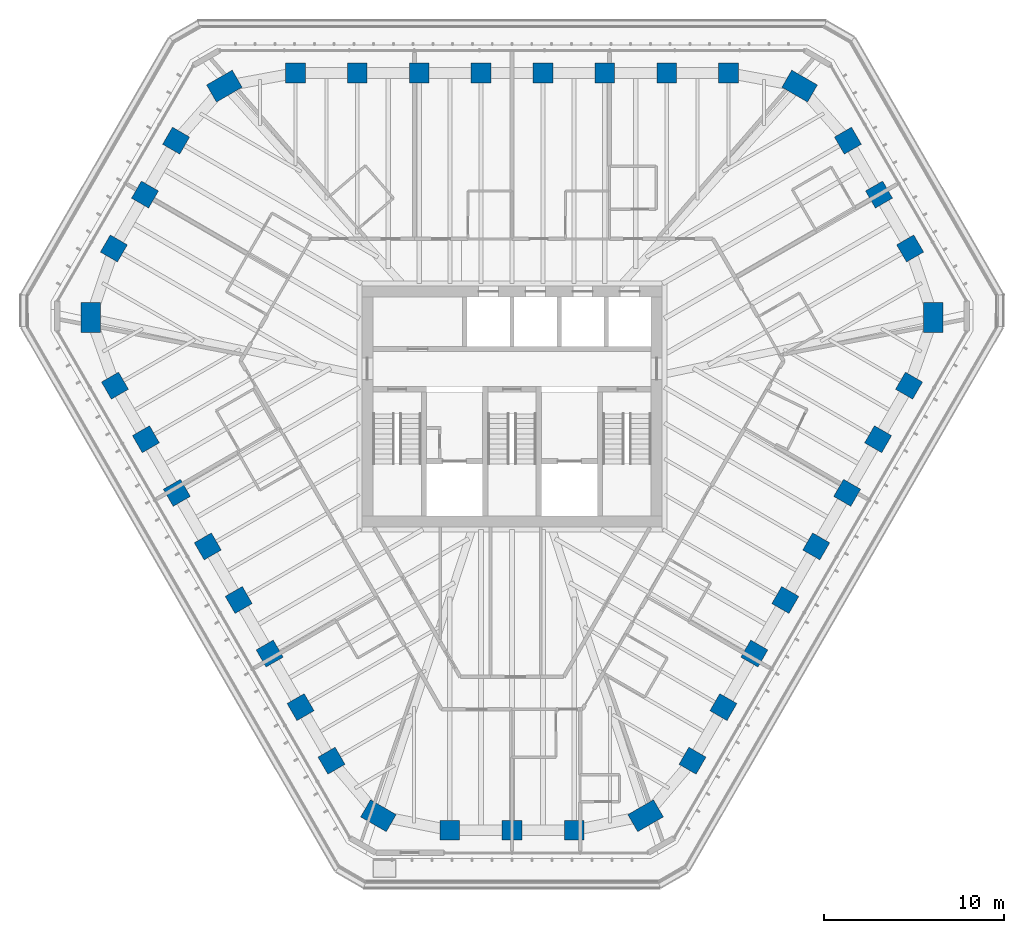
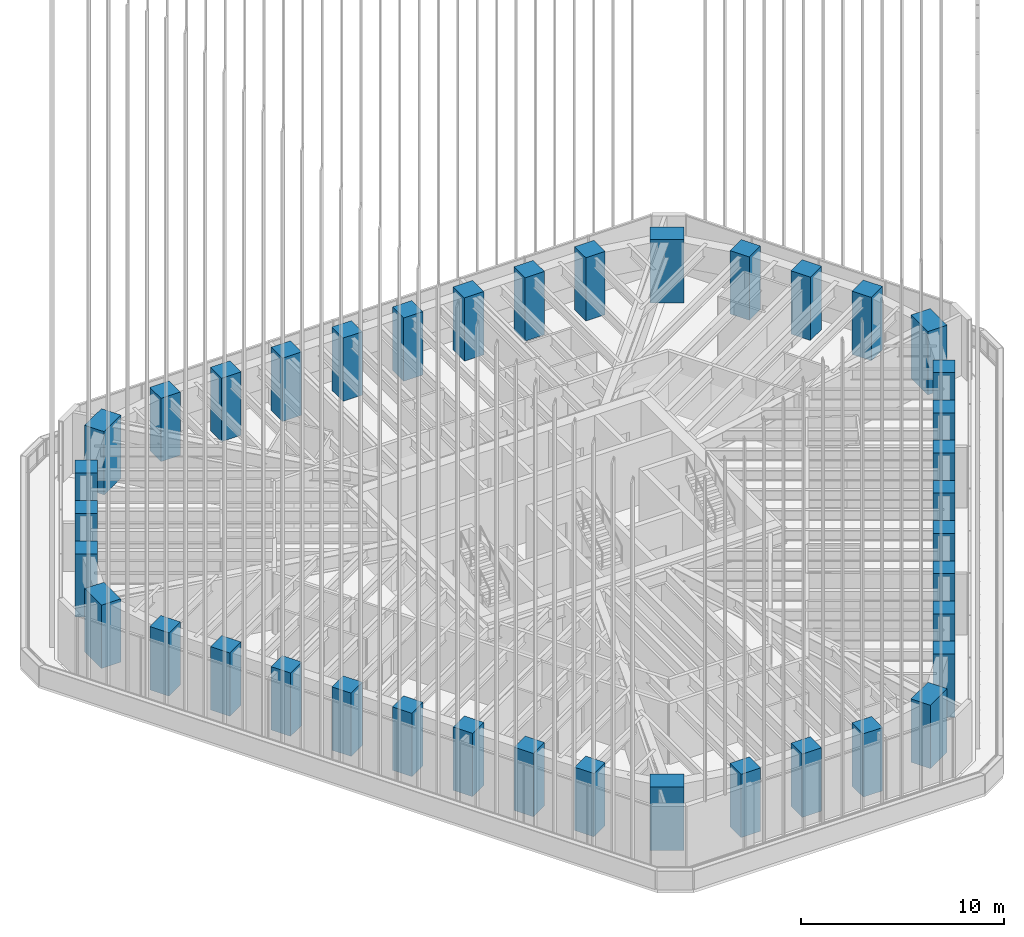
# One storey, part 1 of 127: 39 columns.
"""IFC4 building model written with IfcOpenShell, lengths in metres."""

from ifc_helpers import new_model, si_unit, direction, frame, origin, origin_2d, place, context, subcontext, project, spatial, rectangle, extrude, clip, halfspace, material, material_profile, profile_set, type_object, element, save


model = new_model("IFC4")

# Units and contexts
model_context = context("Model", 3, precision=1e-05, world=origin(), true_north=direction((0.0, 1.0)))
body_context = subcontext(model_context, "Body", "Model", "MODEL_VIEW")
ifc_project = project(units=[si_unit("LENGTHUNIT", "METRE"), si_unit("AREAUNIT", "SQUARE_METRE"), si_unit("VOLUMEUNIT", "CUBIC_METRE"), si_unit("PLANEANGLEUNIT", "RADIAN"), si_unit("MASSUNIT", "GRAM", prefix="KILO")], contexts=[model_context])

# Site, building, storey
site_placement = place(None, origin())
site = spatial("IfcSite", under=ifc_project, at=site_placement, CompositionType="ELEMENT")
building_placement = place(site_placement, origin())
building = spatial("IfcBuilding", under=site, at=building_placement, Name="Sandreach Pilgrim Tower", CompositionType="ELEMENT")
storey_placement = place(building_placement, frame((0.0, 0.0, 257.0)))
storey = spatial("IfcBuildingStorey", under=building, at=storey_placement, Name="L64", CompositionType="ELEMENT", Elevation=257.0)

# Columns
ifc_material_1 = material(Name="Concrete 10000 psi", Category="concrete")
ifc_material_profile_1 = material_profile(ifc_material_1, rectangle(XDim=1.10009765625, YDim=1.10009765625, at=origin_2d()), Name="RC1100X1100")
ifc_profile_set_1 = profile_set([ifc_material_profile_1], Name="Concrete 10000 psi")
column_type_1 = type_object("IfcColumnType", Name="Tube column RC1100X1100", PredefinedType="COLUMN", material=ifc_profile_set_1)
column_1_placement = place(storey_placement, frame((-12.0576171875, 18.56640625, -0.0673828125), z_axis=(0.0, 0.0, 1.0), x_axis=(0.0, 1.0, 0.0)))
element("IfcColumn", 1, at=column_1_placement, inside=storey, type_object=column_type_1, Name="COL L64 T01", PredefinedType="COLUMN", context=body_context, shape_type="SweptSolid", body=[
    clip(extrude(rectangle(XDim=1.10009765625, YDim=1.10009765625, at=origin_2d()), origin(), (0.0, 0.0, 1.0), 3.867431640625), halfspace(frame((0.0, 0.0, 0.0673828125)), True)),
])
column_2_placement = place(storey_placement, frame((-8.612548828125, 18.56640625, -0.059814453125), z_axis=(0.0, 0.0, 1.0), x_axis=(0.0, 1.0, 0.0)))
element("IfcColumn", 2, at=column_2_placement, inside=storey, type_object=column_type_1, Name="COL L64 T02", PredefinedType="COLUMN", context=body_context, shape_type="SweptSolid", body=[
    clip(extrude(rectangle(XDim=1.10009765625, YDim=1.10009765625, at=origin_2d()), origin(), (0.0, 0.0, 1.0), 3.85986328125), halfspace(frame((0.0, 0.0, 0.059814453125)), True)),
])
column_3_placement = place(storey_placement, frame((-5.16748046875, 18.56640625, -0.05224609375), z_axis=(0.0, 0.0, 1.0), x_axis=(0.0, 1.0, 0.0)))
element("IfcColumn", 3, at=column_3_placement, inside=storey, type_object=column_type_1, Name="COL L64 T03", PredefinedType="COLUMN", context=body_context, shape_type="SweptSolid", body=[
    clip(extrude(rectangle(XDim=1.10009765625, YDim=1.10009765625, at=origin_2d()), origin(), (0.0, 0.0, 1.0), 3.852294921875), halfspace(frame((0.0, 0.0, 0.05224609375)), True)),
])
for number, where, z_axis, x_axis, name in (
    (4, (-1.722412109375, 18.56640625, -0.044677734375), (0.0, 0.0, 1.0), (0.0, 1.0, 0.0), "COL L64 T04"),
    (5, (1.722412109375, 18.56640625, -0.044677734375), (0.0, 0.0, 1.0), (0.0, 1.0, 0.0), "COL L64 T05"),
):
    element("IfcColumn", number, at=place(storey_placement, frame(where, z_axis=z_axis, x_axis=x_axis)), inside=storey, type_object=column_type_1, Name=name, PredefinedType="COLUMN", context=body_context, shape_type="SweptSolid", body=[
        clip(extrude(rectangle(XDim=1.10009765625, YDim=1.10009765625, at=origin_2d()), origin(), (0.0, 0.0, 1.0), 3.8447265625), halfspace(frame((0.0, 0.0, 0.044677734375)), True)),
    ])
column_4_placement = place(storey_placement, frame((5.16748046875, 18.56640625, -0.05224609375), z_axis=(0.0, 0.0, 1.0), x_axis=(0.0, 1.0, 0.0)))
element("IfcColumn", 6, at=column_4_placement, inside=storey, type_object=column_type_1, Name="COL L64 T06", PredefinedType="COLUMN", context=body_context, shape_type="SweptSolid", body=[
    clip(extrude(rectangle(XDim=1.10009765625, YDim=1.10009765625, at=origin_2d()), origin(), (0.0, 0.0, 1.0), 3.852294921875), halfspace(frame((0.0, 0.0, 0.05224609375)), True)),
])
column_5_placement = place(storey_placement, frame((8.612548828125, 18.56640625, -0.059814453125), z_axis=(0.0, 0.0, 1.0), x_axis=(0.0, 1.0, 0.0)))
element("IfcColumn", 7, at=column_5_placement, inside=storey, type_object=column_type_1, Name="COL L64 T07", PredefinedType="COLUMN", context=body_context, shape_type="SweptSolid", body=[
    clip(extrude(rectangle(XDim=1.10009765625, YDim=1.10009765625, at=origin_2d()), origin(), (0.0, 0.0, 1.0), 3.85986328125), halfspace(frame((0.0, 0.0, 0.059814453125)), True)),
])
column_6_placement = place(storey_placement, frame((12.0576171875, 18.56640625, -0.0673828125), z_axis=(0.0, 0.0, 1.0), x_axis=(0.0, 1.0, 0.0)))
element("IfcColumn", 8, at=column_6_placement, inside=storey, type_object=column_type_1, Name="COL L64 T08", PredefinedType="COLUMN", context=body_context, shape_type="SweptSolid", body=[
    clip(extrude(rectangle(XDim=1.10009765625, YDim=1.10009765625, at=origin_2d()), origin(), (0.0, 0.0, 1.0), 3.867431640625), halfspace(frame((0.0, 0.0, 0.0673828125)), True)),
])
column_7_placement = place(storey_placement, frame((18.70361328125, 14.80029296875, -0.05859375), z_axis=(0.0, 0.0, 1.0), x_axis=(0.866025403784, 0.5, 0.0)))
element("IfcColumn", 9, at=column_7_placement, inside=storey, type_object=column_type_1, Name="COL L64 T10", PredefinedType="COLUMN", context=body_context, shape_type="SweptSolid", body=[
    clip(extrude(rectangle(XDim=1.10009765625, YDim=1.10009765625, at=origin_2d()), origin(), (0.0, 0.0, 1.0), 3.858642578125), halfspace(frame((0.0, 0.0, 0.05859375)), True)),
])
column_8_placement = place(storey_placement, frame((20.4365234375, 11.799072265625, -0.051025390625), z_axis=(0.0, 0.0, 1.0), x_axis=(0.866025403784, 0.5, 0.0)))
element("IfcColumn", 10, at=column_8_placement, inside=storey, type_object=column_type_1, Name="COL L64 T11", PredefinedType="COLUMN", context=body_context, shape_type="SweptSolid", body=[
    clip(extrude(rectangle(XDim=1.10009765625, YDim=1.10009765625, at=origin_2d()), origin(), (0.0, 0.0, 1.0), 3.85107421875), halfspace(frame((0.0, 0.0, 0.051025390625)), True)),
])
column_9_placement = place(storey_placement, frame((22.169189453125, 8.7978515625, -0.05859375), z_axis=(0.0, 0.0, 1.0), x_axis=(0.866025403784, 0.5, 0.0)))
element("IfcColumn", 11, at=column_9_placement, inside=storey, type_object=column_type_1, Name="COL L64 T12", PredefinedType="COLUMN", context=body_context, shape_type="SweptSolid", body=[
    clip(extrude(rectangle(XDim=1.10009765625, YDim=1.10009765625, at=origin_2d()), origin(), (0.0, 0.0, 1.0), 3.858642578125), halfspace(frame((0.0, 0.0, 0.05859375)), True)),
])
column_10_placement = place(storey_placement, frame((22.10791015625, 1.158935546875, -0.0673828125), z_axis=(0.0, 0.0, 1.0), x_axis=(0.866025403784, -0.5, 0.0)))
element("IfcColumn", 12, at=column_10_placement, inside=storey, type_object=column_type_1, Name="COL L64 T14", PredefinedType="COLUMN", context=body_context, shape_type="SweptSolid", body=[
    clip(extrude(rectangle(XDim=1.10009765625, YDim=1.10009765625, at=origin_2d()), origin(), (0.0, 0.0, 1.0), 3.867431640625), halfspace(frame((0.0, 0.0, 0.0673828125)), True)),
])
column_11_placement = place(storey_placement, frame((20.38525390625, -1.824462890625, -0.059814453125), z_axis=(0.0, 0.0, 1.0), x_axis=(0.866025403784, -0.5, 0.0)))
element("IfcColumn", 13, at=column_11_placement, inside=storey, type_object=column_type_1, Name="COL L64 T15", PredefinedType="COLUMN", context=body_context, shape_type="SweptSolid", body=[
    clip(extrude(rectangle(XDim=1.10009765625, YDim=1.10009765625, at=origin_2d()), origin(), (0.0, 0.0, 1.0), 3.85986328125), halfspace(frame((0.0, 0.0, 0.059814453125)), True)),
])
column_12_placement = place(storey_placement, frame((18.662841796875, -4.80810546875, -0.05224609375), z_axis=(0.0, 0.0, 1.0), x_axis=(0.866025403784, -0.5, 0.0)))
element("IfcColumn", 14, at=column_12_placement, inside=storey, type_object=column_type_1, Name="COL L64 T16", PredefinedType="COLUMN", context=body_context, shape_type="SweptSolid", body=[
    clip(extrude(rectangle(XDim=1.10009765625, YDim=1.10009765625, at=origin_2d()), origin(), (0.0, 0.0, 1.0), 3.852294921875), halfspace(frame((0.0, 0.0, 0.05224609375)), True)),
])
for number, where, z_axis, x_axis, name in (
    (15, (16.940185546875, -7.79150390625, -0.044677734375), (0.0, 0.0, 1.0), (0.866025403784, -0.5, 0.0), "COL L64 T17"),
    (16, (15.2177734375, -10.77490234375, -0.044677734375), (0.0, 0.0, 1.0), (0.866025403784, -0.5, 0.0), "COL L64 T18"),
):
    element("IfcColumn", number, at=place(storey_placement, frame(where, z_axis=z_axis, x_axis=x_axis)), inside=storey, type_object=column_type_1, Name=name, PredefinedType="COLUMN", context=body_context, shape_type="SweptSolid", body=[
        clip(extrude(rectangle(XDim=1.10009765625, YDim=1.10009765625, at=origin_2d()), origin(), (0.0, 0.0, 1.0), 3.8447265625), halfspace(frame((0.0, 0.0, 0.044677734375)), True)),
    ])
column_13_placement = place(storey_placement, frame((13.4951171875, -13.758544921875, -0.05224609375), z_axis=(0.0, 0.0, 1.0), x_axis=(0.866025403784, -0.5, 0.0)))
element("IfcColumn", 17, at=column_13_placement, inside=storey, type_object=column_type_1, Name="COL L64 T19", PredefinedType="COLUMN", context=body_context, shape_type="SweptSolid", body=[
    clip(extrude(rectangle(XDim=1.10009765625, YDim=1.10009765625, at=origin_2d()), origin(), (0.0, 0.0, 1.0), 3.852294921875), halfspace(frame((0.0, 0.0, 0.05224609375)), True)),
])
column_14_placement = place(storey_placement, frame((11.772705078125, -16.741943359375, -0.059814453125), z_axis=(0.0, 0.0, 1.0), x_axis=(0.866025403784, -0.5, 0.0)))
element("IfcColumn", 18, at=column_14_placement, inside=storey, type_object=column_type_1, Name="COL L64 T20", PredefinedType="COLUMN", context=body_context, shape_type="SweptSolid", body=[
    clip(extrude(rectangle(XDim=1.10009765625, YDim=1.10009765625, at=origin_2d()), origin(), (0.0, 0.0, 1.0), 3.85986328125), halfspace(frame((0.0, 0.0, 0.059814453125)), True)),
])
column_15_placement = place(storey_placement, frame((10.05029296875, -19.725341796875, -0.0673828125), z_axis=(0.0, 0.0, 1.0), x_axis=(0.866025403784, -0.5, 0.0)))
element("IfcColumn", 19, at=column_15_placement, inside=storey, type_object=column_type_1, Name="COL L64 T21", PredefinedType="COLUMN", context=body_context, shape_type="SweptSolid", body=[
    clip(extrude(rectangle(XDim=1.10009765625, YDim=1.10009765625, at=origin_2d()), origin(), (0.0, 0.0, 1.0), 3.867431640625), halfspace(frame((0.0, 0.0, 0.0673828125)), True)),
])
column_16_placement = place(storey_placement, frame((3.465576171875, -23.59814453125, -0.05859375), z_axis=(0.0, 0.0, 1.0), x_axis=(0.0, -1.0, 0.0)))
element("IfcColumn", 20, at=column_16_placement, inside=storey, type_object=column_type_1, Name="COL L64 T23", PredefinedType="COLUMN", context=body_context, shape_type="SweptSolid", body=[
    clip(extrude(rectangle(XDim=1.10009765625, YDim=1.10009765625, at=origin_2d()), origin(), (0.0, 0.0, 1.0), 3.858642578125), halfspace(frame((0.0, 0.0, 0.05859375)), True)),
])
column_17_placement = place(storey_placement, frame((0.0, -23.59814453125, -0.051025390625), z_axis=(0.0, 0.0, 1.0), x_axis=(0.0, -1.0, 0.0)))
element("IfcColumn", 21, at=column_17_placement, inside=storey, type_object=column_type_1, Name="COL L64 T24", PredefinedType="COLUMN", context=body_context, shape_type="SweptSolid", body=[
    clip(extrude(rectangle(XDim=1.10009765625, YDim=1.10009765625, at=origin_2d()), origin(), (0.0, 0.0, 1.0), 3.85107421875), halfspace(frame((0.0, 0.0, 0.051025390625)), True)),
])
column_18_placement = place(storey_placement, frame((-3.465576171875, -23.59814453125, -0.05859375), z_axis=(0.0, 0.0, 1.0), x_axis=(0.0, -1.0, 0.0)))
element("IfcColumn", 22, at=column_18_placement, inside=storey, type_object=column_type_1, Name="COL L64 T25", PredefinedType="COLUMN", context=body_context, shape_type="SweptSolid", body=[
    clip(extrude(rectangle(XDim=1.10009765625, YDim=1.10009765625, at=origin_2d()), origin(), (0.0, 0.0, 1.0), 3.858642578125), halfspace(frame((0.0, 0.0, 0.05859375)), True)),
])
column_19_placement = place(storey_placement, frame((-10.05029296875, -19.725341796875, -0.0673828125), z_axis=(0.0, 0.0, 1.0), x_axis=(-0.866025403784, -0.5, 0.0)))
element("IfcColumn", 23, at=column_19_placement, inside=storey, type_object=column_type_1, Name="COL L64 T27", PredefinedType="COLUMN", context=body_context, shape_type="SweptSolid", body=[
    clip(extrude(rectangle(XDim=1.10009765625, YDim=1.10009765625, at=origin_2d()), origin(), (0.0, 0.0, 1.0), 3.867431640625), halfspace(frame((0.0, 0.0, 0.0673828125)), True)),
])
column_20_placement = place(storey_placement, frame((-11.772705078125, -16.741943359375, -0.059814453125), z_axis=(0.0, 0.0, 1.0), x_axis=(-0.866025403784, -0.5, 0.0)))
element("IfcColumn", 24, at=column_20_placement, inside=storey, type_object=column_type_1, Name="COL L64 T28", PredefinedType="COLUMN", context=body_context, shape_type="SweptSolid", body=[
    clip(extrude(rectangle(XDim=1.10009765625, YDim=1.10009765625, at=origin_2d()), origin(), (0.0, 0.0, 1.0), 3.85986328125), halfspace(frame((0.0, 0.0, 0.059814453125)), True)),
])
column_21_placement = place(storey_placement, frame((-13.4951171875, -13.758544921875, -0.05224609375), z_axis=(0.0, 0.0, 1.0), x_axis=(-0.866025403784, -0.5, 0.0)))
element("IfcColumn", 25, at=column_21_placement, inside=storey, type_object=column_type_1, Name="COL L64 T29", PredefinedType="COLUMN", context=body_context, shape_type="SweptSolid", body=[
    clip(extrude(rectangle(XDim=1.10009765625, YDim=1.10009765625, at=origin_2d()), origin(), (0.0, 0.0, 1.0), 3.852294921875), halfspace(frame((0.0, 0.0, 0.05224609375)), True)),
])
for number, where, z_axis, x_axis, name in (
    (26, (-15.2177734375, -10.77490234375, -0.044677734375), (0.0, 0.0, 1.0), (-0.866025403784, -0.5, 0.0), "COL L64 T30"),
    (27, (-16.940185546875, -7.79150390625, -0.044677734375), (0.0, 0.0, 1.0), (-0.866025403784, -0.5, 0.0), "COL L64 T31"),
):
    element("IfcColumn", number, at=place(storey_placement, frame(where, z_axis=z_axis, x_axis=x_axis)), inside=storey, type_object=column_type_1, Name=name, PredefinedType="COLUMN", context=body_context, shape_type="SweptSolid", body=[
        clip(extrude(rectangle(XDim=1.10009765625, YDim=1.10009765625, at=origin_2d()), origin(), (0.0, 0.0, 1.0), 3.8447265625), halfspace(frame((0.0, 0.0, 0.044677734375)), True)),
    ])
column_22_placement = place(storey_placement, frame((-18.662841796875, -4.80810546875, -0.05224609375), z_axis=(0.0, 0.0, 1.0), x_axis=(-0.866025403784, -0.5, 0.0)))
element("IfcColumn", 28, at=column_22_placement, inside=storey, type_object=column_type_1, Name="COL L64 T32", PredefinedType="COLUMN", context=body_context, shape_type="SweptSolid", body=[
    clip(extrude(rectangle(XDim=1.10009765625, YDim=1.10009765625, at=origin_2d()), origin(), (0.0, 0.0, 1.0), 3.852294921875), halfspace(frame((0.0, 0.0, 0.05224609375)), True)),
])
column_23_placement = place(storey_placement, frame((-20.38525390625, -1.824462890625, -0.059814453125), z_axis=(0.0, 0.0, 1.0), x_axis=(-0.866025403784, -0.5, 0.0)))
element("IfcColumn", 29, at=column_23_placement, inside=storey, type_object=column_type_1, Name="COL L64 T33", PredefinedType="COLUMN", context=body_context, shape_type="SweptSolid", body=[
    clip(extrude(rectangle(XDim=1.10009765625, YDim=1.10009765625, at=origin_2d()), origin(), (0.0, 0.0, 1.0), 3.85986328125), halfspace(frame((0.0, 0.0, 0.059814453125)), True)),
])
column_24_placement = place(storey_placement, frame((-22.10791015625, 1.158935546875, -0.0673828125), z_axis=(0.0, 0.0, 1.0), x_axis=(-0.866025403784, -0.5, 0.0)))
element("IfcColumn", 30, at=column_24_placement, inside=storey, type_object=column_type_1, Name="COL L64 T34", PredefinedType="COLUMN", context=body_context, shape_type="SweptSolid", body=[
    clip(extrude(rectangle(XDim=1.10009765625, YDim=1.10009765625, at=origin_2d()), origin(), (0.0, 0.0, 1.0), 3.867431640625), halfspace(frame((0.0, 0.0, 0.0673828125)), True)),
])
column_25_placement = place(storey_placement, frame((-22.169189453125, 8.7978515625, -0.05859375), z_axis=(0.0, 0.0, 1.0), x_axis=(-0.866025403784, 0.5, 0.0)))
element("IfcColumn", 31, at=column_25_placement, inside=storey, type_object=column_type_1, Name="COL L64 T36", PredefinedType="COLUMN", context=body_context, shape_type="SweptSolid", body=[
    clip(extrude(rectangle(XDim=1.10009765625, YDim=1.10009765625, at=origin_2d()), origin(), (0.0, 0.0, 1.0), 3.858642578125), halfspace(frame((0.0, 0.0, 0.05859375)), True)),
])
column_26_placement = place(storey_placement, frame((-20.4365234375, 11.799072265625, -0.051025390625), z_axis=(0.0, 0.0, 1.0), x_axis=(-0.866025403784, 0.5, 0.0)))
element("IfcColumn", 32, at=column_26_placement, inside=storey, type_object=column_type_1, Name="COL L64 T37", PredefinedType="COLUMN", context=body_context, shape_type="SweptSolid", body=[
    clip(extrude(rectangle(XDim=1.10009765625, YDim=1.10009765625, at=origin_2d()), origin(), (0.0, 0.0, 1.0), 3.85107421875), halfspace(frame((0.0, 0.0, 0.051025390625)), True)),
])
column_27_placement = place(storey_placement, frame((-18.70361328125, 14.80029296875, -0.05859375), z_axis=(0.0, 0.0, 1.0), x_axis=(-0.866025403784, 0.5, 0.0)))
element("IfcColumn", 33, at=column_27_placement, inside=storey, type_object=column_type_1, Name="COL L64 T38", PredefinedType="COLUMN", context=body_context, shape_type="SweptSolid", body=[
    clip(extrude(rectangle(XDim=1.10009765625, YDim=1.10009765625, at=origin_2d()), origin(), (0.0, 0.0, 1.0), 3.858642578125), halfspace(frame((0.0, 0.0, 0.05859375)), True)),
])
ifc_material_2 = material(Name="Concrete 10000 psi", Category="concrete")
ifc_material_profile_2 = material_profile(ifc_material_2, rectangle(XDim=1.10009765625, YDim=1.64990234375, at=origin_2d()), Name="RC1100X1650")
ifc_profile_set_2 = profile_set([ifc_material_profile_2], Name="Concrete 10000 psi")
column_type_2 = type_object("IfcColumnType", Name="Tube corner pier RC1100X1650", PredefinedType="COLUMN", material=ifc_profile_set_2)
for number, where, z_axis, x_axis, name in (
    (34, (16.0166015625, 17.837158203125, -0.068603515625), (0.0, 0.0, 1.0), (0.5, 0.866025403784, 0.0), "COL L64 T09"),
    (35, (23.455810546875, 4.952392578125, -0.068603515625), (0.0, 0.0, 1.0), (1.0, 0.0, 0.0), "COL L64 T13"),
    (36, (7.439208984375, -22.78955078125, -0.068603515625), (0.0, 0.0, 1.0), (0.5, -0.866025403784, 0.0), "COL L64 T22"),
    (37, (-7.439208984375, -22.78955078125, -0.068603515625), (0.0, 0.0, 1.0), (-0.5, -0.866025403784, 0.0), "COL L64 T26"),
    (38, (-23.455810546875, 4.952392578125, -0.068603515625), (0.0, 0.0, 1.0), (-1.0, 0.0, 0.0), "COL L64 T35"),
    (39, (-16.0166015625, 17.837158203125, -0.068603515625), (0.0, 0.0, 1.0), (-0.5, 0.866025403784, 0.0), "COL L64 T39"),
):
    element("IfcColumn", number, at=place(storey_placement, frame(where, z_axis=z_axis, x_axis=x_axis)), inside=storey, type_object=column_type_2, Name=name, PredefinedType="COLUMN", context=body_context, shape_type="SweptSolid", body=[
        clip(extrude(rectangle(XDim=1.10009765625, YDim=1.64990234375, at=origin_2d()), origin(), (0.0, 0.0, 1.0), 3.86865234375), halfspace(frame((0.0, 0.0, 0.068603515625)), True)),
    ])

save(model, "model.ifc")
